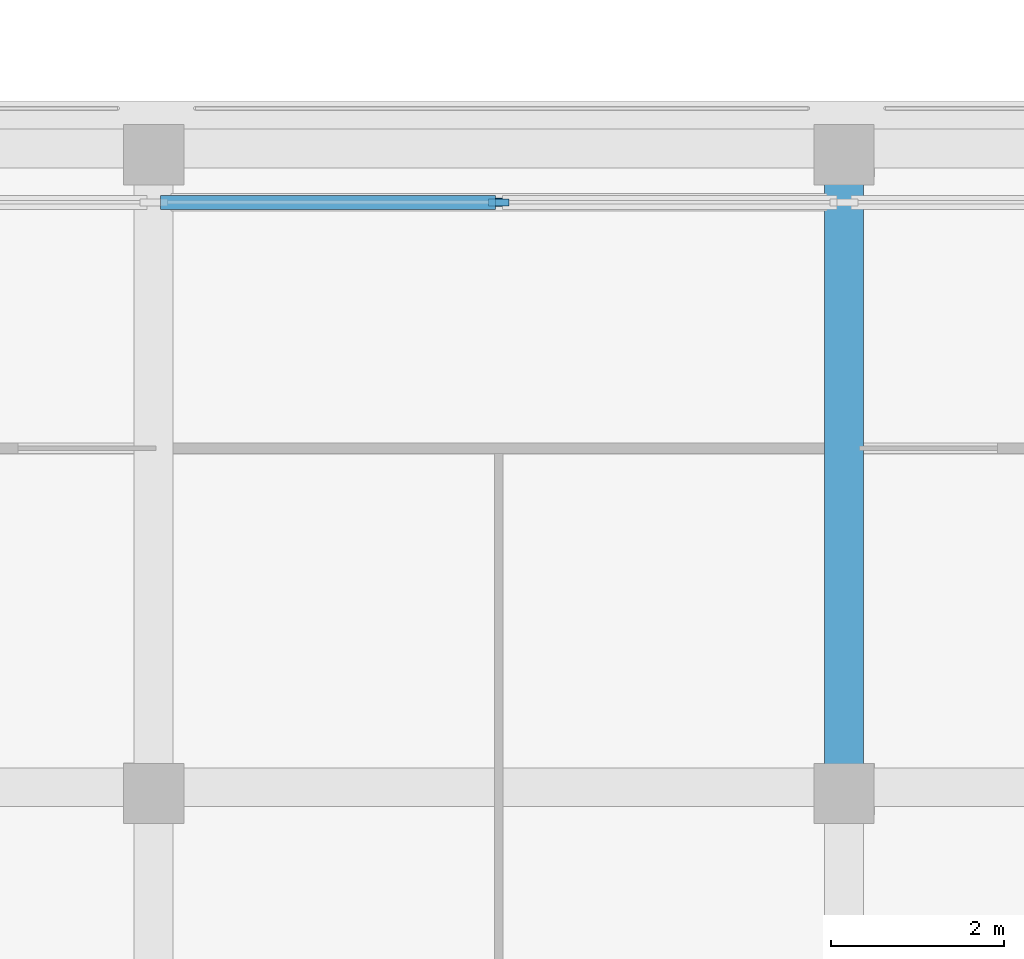
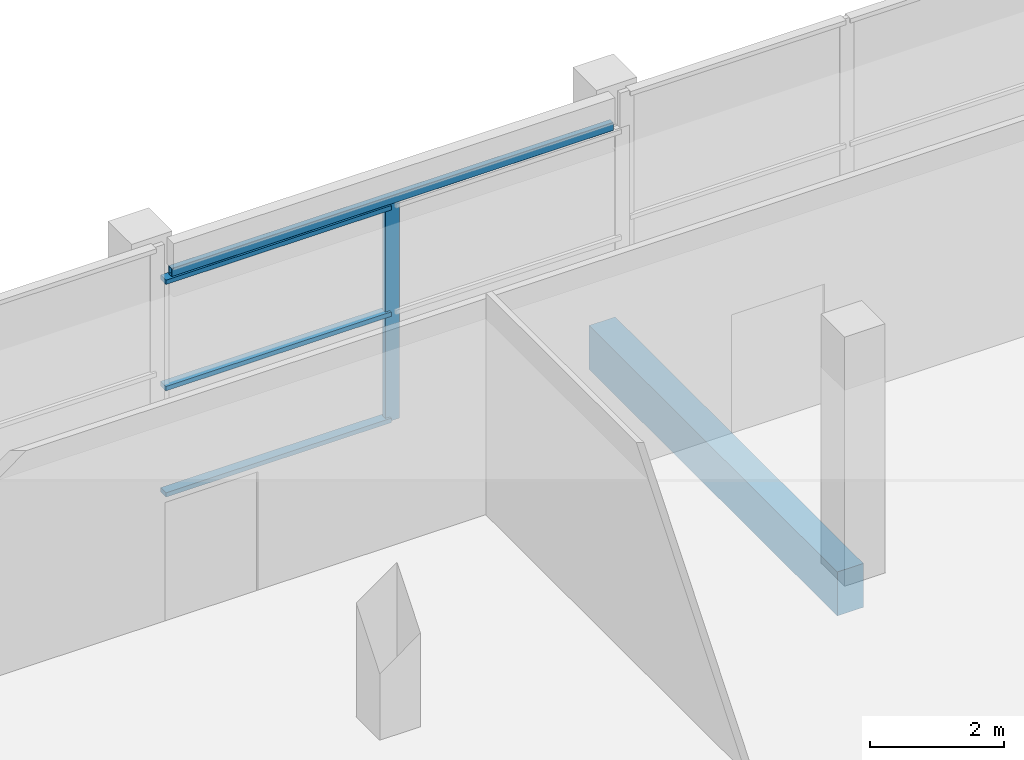
# One storey, part 9 of 46: 4 members, 2 beams, 1 element without a shape of its own.
"""IFC4 building model written with IfcOpenShell, lengths in metres."""

import ifcopenshell
import ifcopenshell.guid

model = None  # the IFC model being written
_history = None  # IfcOwnerHistory: only IFC2X3 demands one
_inside = {}  # id of a spatial element -> (the spatial element, [elements in it])
_under = {}  # id of a project, library or spatial element -> (it, [spatial elements below it])
_declared = {}  # id of a project -> (the project, [libraries it declares])
_typed = {}  # id of a type object -> (the type object, [elements of that type])
_made_of = {}  # id of a material, layer set ... -> (it, [elements and type objects made of it])


def new_model(schema):
    """Start an empty IFC model of exactly this schema.

    Asked for "IFC4X3", IfcOpenShell would pick the latest addendum, in which some entities
    have other attributes; the version numbers below select the first issue.
    IFC2X3 requires an IfcOwnerHistory on every rooted entity: one is made here for all.
    """
    global model, _history
    if schema == "IFC4X3":
        model = ifcopenshell.file(schema_version=(4, 3, 0, 0))
    else:
        model = ifcopenshell.file(schema=schema)
    _inside.clear()
    _under.clear()
    _declared.clear()
    _typed.clear()
    _made_of.clear()
    _history = None
    if model.schema == "IFC2X3":
        org = make("IfcOrganization", Name="unknown")
        user = make(
            "IfcPersonAndOrganization",
            ThePerson=make("IfcPerson", FamilyName="unknown"),
            TheOrganization=org,
        )
        app = make(
            "IfcApplication",
            ApplicationDeveloper=org,
            Version="unknown",
            ApplicationFullName="unknown",
            ApplicationIdentifier="unknown",
        )
        _history = make(
            "IfcOwnerHistory",
            OwningUser=user,
            OwningApplication=app,
            ChangeAction="ADDED",
            CreationDate=0,
        )
    return model


def make(cls, **values):
    """One entity of the class cls with the attributes given. An attribute that is None is left unset."""
    return model.create_entity(
        cls, **{name: value for name, value in values.items() if value is not None}
    )


def rooted(cls, **values):
    """An entity with a GlobalId (a new one), such as an element, a storey or a relation."""
    return make(cls, GlobalId=ifcopenshell.guid.new(), OwnerHistory=_history, **values)


def si_unit(unit_type, name, prefix=None):
    """IfcSIUnit, for example si_unit("LENGTHUNIT", "METRE", prefix="MILLI")."""
    return make("IfcSIUnit", UnitType=unit_type, Prefix=prefix, Name=name)


def assignment(units):
    """IfcUnitAssignment: the units of a project."""
    return None if units is None else make("IfcUnitAssignment", Units=units)


def point(xyz):
    """IfcCartesianPoint."""
    return None if xyz is None else make("IfcCartesianPoint", Coordinates=xyz)


def direction(xyz):
    """IfcDirection."""
    return None if xyz is None else make("IfcDirection", DirectionRatios=xyz)


def frame(location, z_axis=None, x_axis=None):
    """IfcAxis2Placement3D, a coordinate frame: its origin and axes. An axis left out is left unset."""
    return make(
        "IfcAxis2Placement3D",
        Location=point(location),
        Axis=direction(z_axis),
        RefDirection=direction(x_axis),
    )


def frame_2d(location, x_axis=None):
    """IfcAxis2Placement2D, a coordinate frame in the plane: its origin and x axis."""
    return make(
        "IfcAxis2Placement2D", Location=point(location), RefDirection=direction(x_axis)
    )


def origin():
    """The frame at (0, 0, 0) with its axes left unset."""
    return frame((0.0, 0.0, 0.0))


def origin_2d():
    """The frame at (0, 0) in the plane with its x axis left unset."""
    return frame_2d((0.0, 0.0))


def place(relative_to, where):
    """IfcLocalPlacement: puts the frame where relative to a parent placement (None: the world)."""
    return make(
        "IfcLocalPlacement", PlacementRelTo=relative_to, RelativePlacement=where
    )


def context(
    kind, dimensions, precision=None, world=None, true_north=None, identifier=None
):
    """IfcGeometricRepresentationContext, for example the 3D "Model" context."""
    return make(
        "IfcGeometricRepresentationContext",
        ContextIdentifier=identifier,
        ContextType=kind,
        CoordinateSpaceDimension=dimensions,
        Precision=precision,
        WorldCoordinateSystem=world,
        TrueNorth=true_north,
    )


def subcontext(parent, identifier, kind, view, scale=None):
    """IfcGeometricRepresentationSubContext, for example "Body" below "Model"."""
    return make(
        "IfcGeometricRepresentationSubContext",
        ContextIdentifier=identifier,
        ContextType=kind,
        ParentContext=parent,
        TargetScale=scale,
        TargetView=view,
    )


def project(units=None, contexts=None):
    """IfcProject with its units and contexts."""
    return rooted(
        "IfcProject",
        Name="project",
        RepresentationContexts=contexts,
        UnitsInContext=assignment(units),
    )


def spatial(cls, under=None, at=None, **own):
    """A site, building, storey or space (cls), placed at a placement, below another one or the project."""
    s = rooted(cls, ObjectPlacement=at, **own)
    if under is not None:
        _under.setdefault(under.id(), (under, []))[1].append(s)
    return s


def profile(cls, at=None, kind="AREA", **sizes):
    """A parametric profile (cls). Its sizes go by their IFC names, for example OverallWidth=200.0."""
    return make(cls, ProfileType=kind, Position=at, **sizes)


def rectangle(**sizes):
    """IfcRectangleProfileDef."""
    return profile("IfcRectangleProfileDef", **sizes)


def hollow_rectangle(**sizes):
    """IfcRectangleHollowProfileDef."""
    return profile("IfcRectangleHollowProfileDef", **sizes)


def extrude(swept, where, along, depth):
    """IfcExtrudedAreaSolid: the profile swept, set in the frame where, extruded along a direction by depth."""
    return make(
        "IfcExtrudedAreaSolid",
        SweptArea=swept,
        Position=where,
        ExtrudedDirection=direction(along),
        Depth=depth,
    )


def shape(context_of_items, identifier, shape_type, items):
    """IfcShapeRepresentation: the items that make up one representation, for example the "Body"."""
    return make(
        "IfcShapeRepresentation",
        ContextOfItems=context_of_items,
        RepresentationIdentifier=identifier,
        RepresentationType=shape_type,
        Items=items,
    )


def material(Name=None, Category=None):
    """IfcMaterial."""
    return make("IfcMaterial", Name=Name, Category=Category)


def material_profile(
    of_material, cross_section, Name=None, Category=None, Priority=None
):
    """IfcMaterialProfile: a cross section and its material."""
    return make(
        "IfcMaterialProfile",
        Name=Name,
        Material=of_material,
        Profile=cross_section,
        Priority=Priority,
        Category=Category,
    )


def profile_set(profiles, Name=None, composite=None):
    """IfcMaterialProfileSet."""
    return make(
        "IfcMaterialProfileSet",
        Name=Name,
        MaterialProfiles=profiles,
        CompositeProfile=composite,
    )


def made_of(thing, what):
    """Note that an element or type object is made of a material, layer set ...; save() writes the relation."""
    if what is not None:
        _made_of.setdefault(what.id(), (what, []))[1].append(thing)
    return thing


def type_object(cls, material=None, **own):
    """A type object (cls), such as IfcWallType, which elements share."""
    return made_of(rooted(cls, **own), material)


def element(
    cls,
    number,
    at=None,
    inside=None,
    cuts=None,
    type_object=None,
    material=None,
    context=None,
    identifier="Body",
    shape_type=None,
    held_by="IfcProductDefinitionShape",
    body=None,
    shapes=None,
    **own,
):
    """One element of the class cls, such as IfcWall. Its Tag is "e" and its number.

    at: its placement. inside: the storey or other place that contains it. cuts: it is an
    opening in that element (IfcRelVoidsElement). A single representation is given by context,
    identifier, shape_type and body (its items); several are given by shapes. held_by: the class
    of the entity that holds the representations. save() writes the other relations.
    """
    e = rooted(cls, Tag="e%d" % number, ObjectPlacement=at, **own)
    if body is not None:
        shapes = [shape(context, identifier, shape_type, body)]
    if shapes is not None:
        e.Representation = make(held_by, Representations=shapes)
    if inside is not None:
        _inside.setdefault(inside.id(), (inside, []))[1].append(e)
    if cuts is not None:
        rooted(
            "IfcRelVoidsElement", RelatingBuildingElement=cuts, RelatedOpeningElement=e
        )
    if type_object is not None:
        _typed.setdefault(type_object.id(), (type_object, []))[1].append(e)
    return made_of(e, material)


def aggregate(whole, parts):
    """IfcRelAggregates: a whole, such as a stair, and the parts it consists of."""
    return rooted("IfcRelAggregates", RelatingObject=whole, RelatedObjects=parts)


def save(model, path):
    """Write the relations noted so far, then the file.

    IfcRelAggregates (storeys below a building ...), IfcRelContainedInSpatialStructure (elements
    in a storey), IfcRelDefinesByType, IfcRelAssociatesMaterial and IfcRelDeclares: one each for
    every whole, place, type object, material and project.
    """
    for whole, parts in _under.values():
        aggregate(whole, parts)
    for where, things in _inside.values():
        rooted(
            "IfcRelContainedInSpatialStructure",
            RelatedElements=things,
            RelatingStructure=where,
        )
    for kind, things in _typed.values():
        rooted("IfcRelDefinesByType", RelatedObjects=things, RelatingType=kind)
    for what, things in _made_of.values():
        rooted("IfcRelAssociatesMaterial", RelatedObjects=things, RelatingMaterial=what)
    for by, libraries in _declared.values():
        rooted("IfcRelDeclares", RelatingContext=by, RelatedDefinitions=libraries)
    model.write(path)


model = new_model("IFC4")

# Units and contexts
model_context = context("Model", 3, precision=1e-05, world=origin(), true_north=direction((0.0, 1.0)))
body_context = subcontext(model_context, "Body", "Model", "MODEL_VIEW")
ifc_project = project(units=[si_unit("LENGTHUNIT", "METRE"), si_unit("AREAUNIT", "SQUARE_METRE"), si_unit("VOLUMEUNIT", "CUBIC_METRE"), si_unit("PLANEANGLEUNIT", "RADIAN"), si_unit("MASSUNIT", "GRAM", prefix="KILO")], contexts=[model_context])

# Site, building, storey
site_placement = place(None, origin())
site = spatial("IfcSite", under=ifc_project, at=site_placement, CompositionType="ELEMENT")
building_placement = place(site_placement, origin())
building = spatial("IfcBuilding", under=site, at=building_placement, Name="Lantern Court Media Centre", CompositionType="ELEMENT")
storey_placement = place(building_placement, frame((0.0, 0.0, 28.800048828125)))
storey = spatial("IfcBuildingStorey", under=building, at=storey_placement, Name="L06", CompositionType="ELEMENT", Elevation=28.800048828125)

# Curtain wall, members
ifc_material_1 = material(Name="Curtain wall bay 4000")
curtain_wall_type = type_object("IfcCurtainWallType", Name="Curtain wall bay 4000", PredefinedType="NOTDEFINED", material=ifc_material_1)
curtain_wall_placement = place(storey_placement, origin())
curtain_wall = element("IfcCurtainWall", 1, at=curtain_wall_placement, inside=storey, type_object=curtain_wall_type, Name="Curtain wall S inner L06", PredefinedType="NOTDEFINED")
ifc_material_2 = material(Name="Anodised aluminium", Category="aluminium")
ifc_material_profile_1 = material_profile(ifc_material_2, rectangle(XDim=0.080078125, YDim=0.239990234375, at=origin_2d()), Name="AL 80x240")
ifc_profile_set_1 = profile_set([ifc_material_profile_1], Name="Anodised aluminium")
member_type_1 = type_object("IfcMemberType", Name="Curtain wall mullion 80x240", PredefinedType="MULLION", material=ifc_profile_set_1)
member_1_placement = place(storey_placement, frame((52.0, 56.85009765625, 0.0), z_axis=(0.0, 0.0, 1.0), x_axis=(0.0, 1.0, 0.0)))
member_1 = element("IfcMember", 2, at=member_1_placement, type_object=member_type_1, Name="CW3 mullion 2", PredefinedType="MULLION", context=body_context, shape_type="SweptSolid", body=[
    extrude(rectangle(XDim=0.080078125, YDim=0.239990234375, at=origin_2d()), origin(), (0.0, 0.0, 1.0), 3.949951171875),
])
ifc_material_profile_2 = material_profile(ifc_material_2, rectangle(XDim=0.159912109375, YDim=0.080078125, at=origin_2d()), Name="AL 80x160")
ifc_profile_set_2 = profile_set([ifc_material_profile_2], Name="Anodised aluminium")
member_type_2 = type_object("IfcMemberType", Name="Curtain wall transom 160x80", PredefinedType="USERDEFINED", material=ifc_profile_set_2)
member_2_placement = place(storey_placement, frame((48.080078125, 56.85009765625, 0.0400390625), z_axis=(1.0, 0.0, 0.0), x_axis=(0.0, 1.0, 0.0)))
member_2 = element("IfcMember", 3, at=member_2_placement, type_object=member_type_2, Name="CW3 transom 1.1", ObjectType="TRANSOM", PredefinedType="USERDEFINED", context=body_context, shape_type="SweptSolid", body=[
    extrude(rectangle(XDim=0.159912109375, YDim=0.080078125, at=origin_2d()), origin(), (0.0, 0.0, 1.0), 3.8798828125),
])
member_3_placement = place(storey_placement, frame((48.080078125, 56.85009765625, 1.974853515625), z_axis=(1.0, 0.0, 0.0), x_axis=(0.0, 1.0, 0.0)))
member_3 = element("IfcMember", 4, at=member_3_placement, type_object=member_type_2, Name="CW3 transom 1.2", ObjectType="TRANSOM", PredefinedType="USERDEFINED", context=body_context, shape_type="SweptSolid", body=[
    extrude(rectangle(XDim=0.159912109375, YDim=0.080078125, at=origin_2d()), origin(), (0.0, 0.0, 1.0), 3.8798828125),
])
member_4_placement = place(storey_placement, frame((48.080078125, 56.85009765625, 3.909912109375), z_axis=(1.0, 0.0, 0.0), x_axis=(0.0, 1.0, 0.0)))
member_4 = element("IfcMember", 5, at=member_4_placement, type_object=member_type_2, Name="CW3 transom 1.3", ObjectType="TRANSOM", PredefinedType="USERDEFINED", context=body_context, shape_type="SweptSolid", body=[
    extrude(rectangle(XDim=0.159912109375, YDim=0.080078125, at=origin_2d()), origin(), (0.0, 0.0, 1.0), 3.8798828125),
])
aggregate(curtain_wall, [member_1, member_2, member_3, member_4])

# Beams
ifc_material_3 = material(Name="Steel S355J2 (EN 10025-2)", Category="steel")
ifc_material_profile_3 = material_profile(ifc_material_3, hollow_rectangle(XDim=0.10009765625, YDim=0.14990234375, WallThickness=0.00634765625, InnerFilletRadius=0.00634765625, OuterFilletRadius=0.009521484375, at=origin_2d()), Name="Facade head lintel RHS 150x100x6.3")
ifc_profile_set_3 = profile_set([ifc_material_profile_3], Name="Steel S355J2 (EN 10025-2)")
beam_type_1 = type_object("IfcBeamType", Name="Facade head lintel RHS 150x100x6.3", PredefinedType="BEAM", material=ifc_profile_set_3)
beam_1_placement = place(storey_placement, frame((48.199951171875, 56.85009765625, 4.02490234375), z_axis=(1.0, 0.0, 0.0), x_axis=(0.0, 1.0, 0.0)))
element("IfcBeam", 6, at=beam_1_placement, inside=storey, type_object=beam_type_1, Name="Facade head lintel S L06", PredefinedType="BEAM", context=body_context, shape_type="SweptSolid", body=[
    extrude(hollow_rectangle(XDim=0.10009765625, YDim=0.14990234375, WallThickness=0.00634765625, InnerFilletRadius=0.00634765625, OuterFilletRadius=0.009521484375, at=origin_2d()), origin(), (0.0, 0.0, 1.0), 7.60009765625),
])
ifc_material_4 = material(Name="Concrete C35", Category="concrete")
ifc_material_profile_4 = material_profile(ifc_material_4, rectangle(XDim=0.449951171875, YDim=0.800048828125, at=origin_2d()), Name="RC 450x800")
ifc_profile_set_4 = profile_set([ifc_material_profile_4], Name="Concrete C35")
beam_type_2 = type_object("IfcBeamType", Name="RC BEAM 450x800", PredefinedType="BEAM", material=ifc_profile_set_4)
beam_2_placement = place(storey_placement, frame((56.0, 50.083251953125, -0.400146484375), z_axis=(0.0, 1.0, 0.0), x_axis=(-1.0, 0.0, 0.0)))
element("IfcBeam", 7, at=beam_2_placement, inside=storey, type_object=beam_type_2, Name="TB-S-L06-4-2", PredefinedType="BEAM", context=body_context, shape_type="SweptSolid", body=[
    extrude(rectangle(XDim=0.449951171875, YDim=0.800048828125, at=origin_2d()), origin(), (0.0, 0.0, 1.0), 7.400146484375),
])

save(model, "model.ifc")
